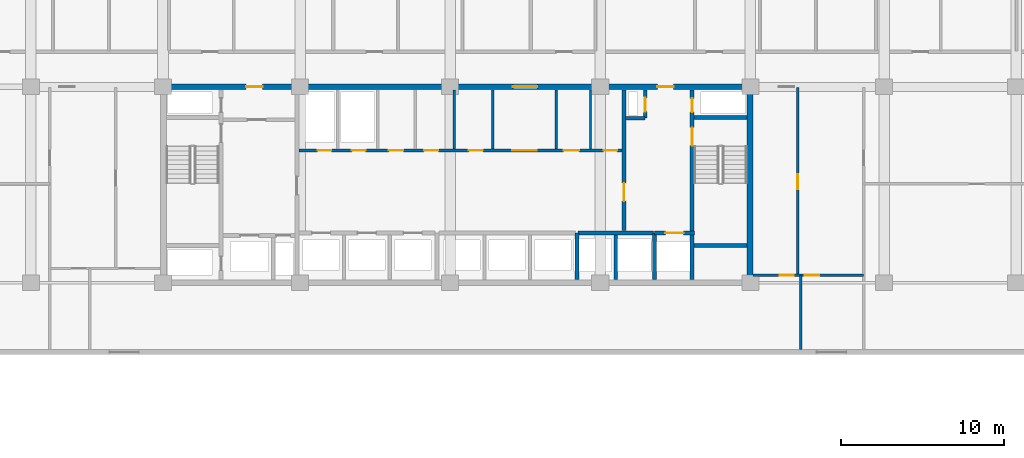
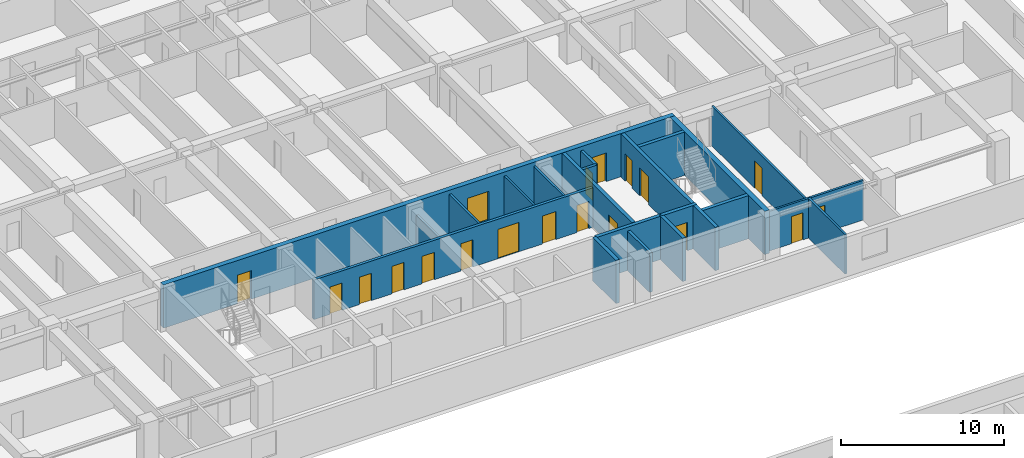
# One storey, part 12 of 23: 21 walls, 19 doors, 19 openings.
"""IFC4 building model written with IfcOpenShell, lengths in metres."""

from ifc_helpers import new_model, si_unit, direction, frame, frame_2d, origin, place, context, subcontext, project, spatial, rectangle, extrude, material, layer, layer_set, type_object, element, fill, save


model = new_model("IFC4")

# Units and contexts
model_context = context("Model", 3, precision=1e-05, world=origin(), true_north=direction((0.0, 1.0)))
body_context = subcontext(model_context, "Body", "Model", "MODEL_VIEW")
ifc_project = project(units=[si_unit("LENGTHUNIT", "METRE"), si_unit("AREAUNIT", "SQUARE_METRE"), si_unit("VOLUMEUNIT", "CUBIC_METRE"), si_unit("PLANEANGLEUNIT", "RADIAN"), si_unit("MASSUNIT", "GRAM", prefix="KILO")], contexts=[model_context])

# Site, building, storey
site_placement = place(None, origin())
site = spatial("IfcSite", under=ifc_project, at=site_placement, CompositionType="ELEMENT")
building_placement = place(site_placement, origin())
building = spatial("IfcBuilding", under=site, at=building_placement, Name="Korimba Cascade Residences", CompositionType="ELEMENT")
storey_placement = place(building_placement, frame((0.0, 0.0, 30.5)))
storey = spatial("IfcBuildingStorey", under=building, at=storey_placement, Name="L07", CompositionType="ELEMENT", Elevation=30.5)

# Wall
ifc_material_1 = material(Name="Concrete C65/80", Category="concrete")
ifc_layer_1 = layer(ifc_material_1, 0.35009765625)
ifc_layer_set_1 = layer_set([ifc_layer_1], Name="Concrete C65/80")
wall_type_1 = type_object("IfcWallType", Name="WAL-CORE-350", PredefinedType="SHEAR", material=ifc_layer_set_1)
wall_1_placement = place(storey_placement, frame((112.074951171875, 55.375, 0.0), z_axis=(0.0, 0.0, 1.0), x_axis=(0.0, 1.0, 0.0)))
element("IfcWall", 1, at=wall_1_placement, inside=storey, type_object=wall_type_1, Name="L07 Core Shear Wall CW-L07-T1-E", PredefinedType="SHEAR", context=body_context, shape_type="SweptSolid", body=[
    extrude(rectangle(XDim=11.64990234375, YDim=0.35009765625, at=frame_2d((5.824951171875, 0.0))), origin(), (0.0, 0.0, 1.0), 3.25),
])

# Wall, openings, doors
wall_2_placement = place(storey_placement, frame((75.949951171875, 67.199951171875, 0.0), z_axis=(0.0, 0.0, 1.0), x_axis=(1.0, 0.0, 0.0)))
wall_2 = element("IfcWall", 2, at=wall_2_placement, inside=storey, type_object=wall_type_1, Name="L07 Core Shear Wall CW-L07-T1-N", PredefinedType="SHEAR", context=body_context, shape_type="SweptSolid", body=[
    extrude(rectangle(XDim=36.300048828125, YDim=0.35009765625, at=frame_2d((18.14990234375, 0.0))), origin(), (0.0, 0.0, 1.0), 3.25),
])
opening_1_placement = place(wall_2_placement, frame((5.25, 0.0, 0.0)))
opening_1 = element("IfcOpeningElement", 3, at=opening_1_placement, cuts=wall_2, Name="Opening D-FD5", PredefinedType="OPENING", context=body_context, shape_type="SweptSolid", body=[
    extrude(rectangle(XDim=1.0, YDim=2.14990234375, at=frame_2d((0.5, 1.074951171875))), frame((0.0, 0.18505859375, 0.0), z_axis=(0.0, -1.0, 0.0), x_axis=(1.0, 0.0, 0.0)), (0.0, 0.0, 1.0), 0.3701171875),
])
opening_2_placement = place(wall_2_placement, frame((21.60009765625, 0.0, 0.0)))
opening_2 = element("IfcOpeningElement", 4, at=opening_2_placement, cuts=wall_2, Name="Opening D-FD8", PredefinedType="OPENING", context=body_context, shape_type="SweptSolid", body=[
    extrude(rectangle(XDim=1.5, YDim=2.199951171875, at=frame_2d((0.75, 1.10009765625))), frame((0.0, 0.18505859375, 0.0), z_axis=(0.0, -1.0, 0.0), x_axis=(1.0, 0.0, 0.0)), (0.0, 0.0, 1.0), 0.3701171875),
])
opening_3_placement = place(wall_2_placement, frame((30.449951171875, 0.0, 0.0)))
opening_3 = element("IfcOpeningElement", 5, at=opening_3_placement, cuts=wall_2, Name="Opening D-FD5", PredefinedType="OPENING", context=body_context, shape_type="SweptSolid", body=[
    extrude(rectangle(XDim=1.0, YDim=2.14990234375, at=frame_2d((0.5, 1.074951171875))), frame((0.0, 0.18505859375, 0.0), z_axis=(0.0, -1.0, 0.0), x_axis=(1.0, 0.0, 0.0)), (0.0, 0.0, 1.0), 0.3701171875),
])
ifc_material_2 = material(Name="Fire-Rated Acoustic Timber Vestibule Door", Category="wood")
door_type_1 = type_object("IfcDoorType", Name="DR-FD90-1000", OperationType="NOTDEFINED", PredefinedType="DOOR", material=ifc_material_2)
door_1_placement = place(opening_1_placement, origin())
door_1 = element("IfcDoor", 6, at=door_1_placement, inside=storey, type_object=door_type_1, Name="L07 T1 West Core Vestibule Fire Door", OperationType="SINGLE_SWING_LEFT", OverallHeight=2.14990234375, OverallWidth=1.0, PredefinedType="DOOR", context=body_context, shape_type="SweptSolid", body=[
    extrude(rectangle(XDim=1.0, YDim=2.14990234375, at=frame_2d((0.5, 1.074951171875))), frame((0.0, 0.02490234375, 0.0), z_axis=(0.0, -1.0, 0.0), x_axis=(1.0, 0.0, 0.0)), (0.0, 0.0, 1.0), 0.050048828125),
])
fill(opening_1, door_1)
door_2_placement = place(opening_3_placement, origin())
door_2 = element("IfcDoor", 7, at=door_2_placement, inside=storey, type_object=door_type_1, Name="L07 T1 East Firefighting Vestibule Fire Door", OperationType="SINGLE_SWING_RIGHT", OverallHeight=2.14990234375, OverallWidth=1.0, PredefinedType="DOOR", context=body_context, shape_type="SweptSolid", body=[
    extrude(rectangle(XDim=1.0, YDim=2.14990234375, at=frame_2d((0.5, 1.074951171875))), frame((0.0, 0.02490234375, 0.0), z_axis=(0.0, -1.0, 0.0), x_axis=(1.0, 0.0, 0.0)), (0.0, 0.0, 1.0), 0.050048828125),
])
fill(opening_3, door_2)
ifc_material_3 = material(Name="Fire-Rated Glazed Lift Lobby Double Door", Category="glass")
door_type_2 = type_object("IfcDoorType", Name="DR-FD90-1500", OperationType="NOTDEFINED", PredefinedType="DOOR", material=ifc_material_3)
door_3_placement = place(opening_2_placement, origin())
door_3 = element("IfcDoor", 8, at=door_3_placement, inside=storey, type_object=door_type_2, Name="L07 T1 Lift Lobby Fire Door", OperationType="DOUBLE_DOOR_SINGLE_SWING", OverallHeight=2.199951171875, OverallWidth=1.5, PredefinedType="DOOR", context=body_context, shape_type="SweptSolid", body=[
    extrude(rectangle(XDim=1.5, YDim=2.199951171875, at=frame_2d((0.75, 1.10009765625))), frame((0.0, 0.02490234375, 0.0), z_axis=(0.0, -1.0, 0.0), x_axis=(1.0, 0.0, 0.0)), (0.0, 0.0, 1.0), 0.050048828125),
])
fill(opening_2, door_3)

# Walls
ifc_material_4 = material(Name="Insulated Acoustic Stud Partition", Category="gypsum")
ifc_layer_2 = layer(ifc_material_4, 0.14990234375)
ifc_layer_set_2 = layer_set([ifc_layer_2], Name="Insulated Acoustic Stud Partition")
wall_type_2 = type_object("IfcWallType", Name="WAL-PART-150", PredefinedType="PARTITIONING", material=ifc_layer_set_2)
wall_3_placement = place(storey_placement, frame((93.949951171875, 63.39990234375, 0.0), z_axis=(0.0, 0.0, 1.0), x_axis=(0.0, 1.0, 0.0)))
element("IfcWall", 9, at=wall_3_placement, inside=storey, type_object=wall_type_2, Name="L07 Partition Wall CW-L07-T1-CA1W2", PredefinedType="PARTITIONING", context=body_context, shape_type="SweptSolid", body=[
    extrude(rectangle(XDim=3.60009765625, YDim=0.14990234375, at=frame_2d((1.800048828125, 0.0))), origin(), (0.0, 0.0, 1.0), 2.219970703125),
])
for number, where, z_axis, x_axis, name in (
    (10, (102.300048828125, 63.39990234375, 0.0), (0.0, 0.0, 1.0), (0.0, 1.0, 0.0), "L07 Partition Wall CW-L07-T1-CA1E1"),
    (11, (96.300048828125, 63.39990234375, 0.0), (0.0, 0.0, 1.0), (0.0, 1.0, 0.0), "L07 Partition Wall CW-L07-T1-THW"),
    (12, (100.199951171875, 63.39990234375, 0.0), (0.0, 0.0, 1.0), (0.0, 1.0, 0.0), "L07 Partition Wall CW-L07-T1-THE"),
):
    element("IfcWall", number, at=place(storey_placement, frame(where, z_axis=z_axis, x_axis=x_axis)), inside=storey, type_object=wall_type_2, Name=name, PredefinedType="PARTITIONING", context=body_context, shape_type="SweptSolid", body=[
        extrude(rectangle(XDim=3.60009765625, YDim=0.14990234375, at=frame_2d((1.800048828125, 0.0))), origin(), (0.0, 0.0, 1.0), 2.969970703125),
    ])

# Wall, opening, door
wall_4_placement = place(storey_placement, frame((115.0, 55.64990234375, 0.0), z_axis=(0.0, 0.0, 1.0), x_axis=(0.0, 1.0, 0.0)))
wall_4 = element("IfcWall", 13, at=wall_4_placement, inside=storey, type_object=wall_type_2, Name="L07 Partition Wall WAL-L07-T1-FE-VN", PredefinedType="PARTITIONING", context=body_context, shape_type="SweptSolid", body=[
    extrude(rectangle(XDim=11.5, YDim=0.14990234375, at=frame_2d((5.75, 0.0))), origin(), (0.0, 0.0, 1.0), 2.969970703125),
])
opening_4_placement = place(wall_4_placement, frame((5.2900390625, 0.0, 0.0)))
opening_4 = element("IfcOpeningElement", 14, at=opening_4_placement, cuts=wall_4, Name="Opening D-IN1", PredefinedType="OPENING", context=body_context, shape_type="SweptSolid", body=[
    extrude(rectangle(XDim=0.919921875, YDim=2.080078125, at=frame_2d((0.4599609375, 1.0400390625))), frame((0.0, 0.0849609375, 0.0), z_axis=(0.0, -1.0, 0.0), x_axis=(1.0, 0.0, 0.0)), (0.0, 0.0, 1.0), 0.169921875),
])
ifc_material_5 = material(Name="Acoustic Timber Living Door", Category="wood")
door_type_3 = type_object("IfcDoorType", Name="DR-INT-920", OperationType="NOTDEFINED", PredefinedType="DOOR", material=ifc_material_5)
door_4_placement = place(opening_4_placement, origin())
door_4 = element("IfcDoor", 15, at=door_4_placement, inside=storey, type_object=door_type_3, Name="L07-T1-FE Living Door", OperationType="SINGLE_SWING_RIGHT", OverallHeight=2.080078125, OverallWidth=0.919921875, PredefinedType="DOOR", context=body_context, shape_type="SweptSolid", body=[
    extrude(rectangle(XDim=0.919921875, YDim=2.080078125, at=frame_2d((0.4599609375, 1.0400390625))), frame((0.0, 0.02490234375, 0.0), z_axis=(0.0, -1.0, 0.0), x_axis=(1.0, 0.0, 0.0)), (0.0, 0.0, 1.0), 0.050048828125),
])
fill(opening_4, door_4)

# Wall
wall_5_placement = place(storey_placement, frame((115.199951171875, 51.10009765625, 0.0), z_axis=(0.0, 0.0, 1.0), x_axis=(0.0, 1.0, 0.0)))
element("IfcWall", 16, at=wall_5_placement, inside=storey, type_object=wall_type_2, Name="L07 Partition Wall WAL-L07-T1-FE-VS", PredefinedType="PARTITIONING", context=body_context, shape_type="SweptSolid", body=[
    extrude(rectangle(XDim=4.5498046875, YDim=0.14990234375, at=frame_2d((2.27490234375, 0.0))), origin(), (0.0, 0.0, 1.0), 2.969970703125),
])

# Wall, openings, doors
wall_6_placement = place(storey_placement, frame((112.27001953125, 55.64990234375, 0.0), z_axis=(0.0, 0.0, 1.0), x_axis=(1.0, 0.0, 0.0)))
wall_6 = element("IfcWall", 17, at=wall_6_placement, inside=storey, type_object=wall_type_2, Name="L07 Partition Wall WAL-L07-T1-FE-H", PredefinedType="PARTITIONING", context=body_context, shape_type="SweptSolid", body=[
    extrude(rectangle(XDim=6.760009765625, YDim=0.14990234375, at=frame_2d((3.3798828125, 0.0))), origin(), (0.0, 0.0, 1.0), 2.969970703125),
])
opening_5_placement = place(wall_6_placement, frame((1.6396484375, 0.0, 0.0)))
opening_5 = element("IfcOpeningElement", 18, at=opening_5_placement, cuts=wall_6, Name="Opening D-BT1", PredefinedType="OPENING", context=body_context, shape_type="SweptSolid", body=[
    extrude(rectangle(XDim=0.840087890625, YDim=2.0400390625, at=frame_2d((0.419921875, 1.02001953125))), frame((0.0, 0.0849609375, 0.0), z_axis=(0.0, -1.0, 0.0), x_axis=(1.0, 0.0, 0.0)), (0.0, 0.0, 1.0), 0.169921875),
])
opening_6_placement = place(wall_6_placement, frame((3.160400390625, 0.0, 0.0)))
opening_6 = element("IfcOpeningElement", 19, at=opening_6_placement, cuts=wall_6, Name="Opening D-IN2", PredefinedType="OPENING", context=body_context, shape_type="SweptSolid", body=[
    extrude(rectangle(XDim=0.8798828125, YDim=2.06005859375, at=frame_2d((0.43994140625, 1.030029296875))), frame((0.0, 0.0849609375, 0.0), z_axis=(0.0, -1.0, 0.0), x_axis=(1.0, 0.0, 0.0)), (0.0, 0.0, 1.0), 0.169921875),
])
ifc_material_6 = material(Name="Moisture-Resistant Bathroom Timber Door", Category="wood")
door_type_4 = type_object("IfcDoorType", Name="DR-INT-850", OperationType="NOTDEFINED", PredefinedType="DOOR", material=ifc_material_6)
door_5_placement = place(opening_5_placement, origin())
door_5 = element("IfcDoor", 20, at=door_5_placement, inside=storey, type_object=door_type_4, Name="L07-T1-FE Bathroom Door", OperationType="SINGLE_SWING_LEFT", OverallHeight=2.0400390625, OverallWidth=0.840087890625, PredefinedType="DOOR", context=body_context, shape_type="SweptSolid", body=[
    extrude(rectangle(XDim=0.840087890625, YDim=2.0400390625, at=frame_2d((0.419921875, 1.02001953125))), frame((0.0, 0.02490234375, 0.0), z_axis=(0.0, -1.0, 0.0), x_axis=(1.0, 0.0, 0.0)), (0.0, 0.0, 1.0), 0.050048828125),
])
fill(opening_5, door_5)
ifc_material_7 = material(Name="Acoustic Timber Bedroom Door", Category="wood")
door_type_5 = type_object("IfcDoorType", Name="DR-INT-880", OperationType="NOTDEFINED", PredefinedType="DOOR", material=ifc_material_7)
door_6_placement = place(opening_6_placement, origin())
door_6 = element("IfcDoor", 21, at=door_6_placement, inside=storey, type_object=door_type_5, Name="L07-T1-FE Bedroom Door", OperationType="SINGLE_SWING_RIGHT", OverallHeight=2.06005859375, OverallWidth=0.8798828125, PredefinedType="DOOR", context=body_context, shape_type="SweptSolid", body=[
    extrude(rectangle(XDim=0.8798828125, YDim=2.06005859375, at=frame_2d((0.43994140625, 1.030029296875))), frame((0.0, 0.02490234375, 0.0), z_axis=(0.0, -1.0, 0.0), x_axis=(1.0, 0.0, 0.0)), (0.0, 0.0, 1.0), 0.050048828125),
])
fill(opening_6, door_6)

# Wall
ifc_material_8 = material(Name="Concrete C40/50", Category="concrete")
ifc_layer_3 = layer(ifc_material_8, 0.199951171875)
ifc_layer_set_3 = layer_set([ifc_layer_3], Name="Concrete C40/50")
wall_type_3 = type_object("IfcWallType", Name="WAL-PART-200", PredefinedType="PARTITIONING", material=ifc_layer_set_3)
wall_7_placement = place(storey_placement, frame((103.85009765625, 55.39990234375, 0.0), z_axis=(0.0, 0.0, 1.0), x_axis=(0.0, 1.0, 0.0)))
element("IfcWall", 22, at=wall_7_placement, inside=storey, type_object=wall_type_3, Name="L07 Partition Wall CW-L07-T1-B3D1", PredefinedType="PARTITIONING", context=body_context, shape_type="SweptSolid", body=[
    extrude(rectangle(XDim=2.72021484375, YDim=0.199951171875, at=frame_2d((1.360107421875, 0.0))), origin(), (0.0, 0.0, 1.0), 2.969970703125),
])

# Wall, openings, doors
wall_8_placement = place(storey_placement, frame((84.419921875, 63.300048828125, 0.0), z_axis=(0.0, 0.0, 1.0), x_axis=(1.0, 0.0, 0.0)))
wall_8 = element("IfcWall", 23, at=wall_8_placement, inside=storey, type_object=wall_type_3, Name="L07 Partition Wall CW-L07-T1-SRVROW", PredefinedType="PARTITIONING", context=body_context, shape_type="SweptSolid", body=[
    extrude(rectangle(XDim=19.830078125, YDim=0.199951171875, at=frame_2d((9.9150390625, 0.0))), origin(), (0.0, 0.0, 1.0), 2.969970703125),
])
opening_7_placement = place(wall_8_placement, frame((1.14990234375, 0.0, 0.0)))
opening_7 = element("IfcOpeningElement", 24, at=opening_7_placement, cuts=wall_8, Name="Opening D-RS1", PredefinedType="OPENING", context=body_context, shape_type="SweptSolid", body=[
    extrude(rectangle(XDim=0.85009765625, YDim=2.050048828125, at=frame_2d((0.425048828125, 1.02490234375))), frame((0.0, 0.10986328125, 0.0), z_axis=(0.0, -1.0, 0.0), x_axis=(1.0, 0.0, 0.0)), (0.0, 0.0, 1.0), 0.219970703125),
])
opening_8_placement = place(wall_8_placement, frame((3.25, 0.0, 0.0)))
opening_8 = element("IfcOpeningElement", 25, at=opening_8_placement, cuts=wall_8, Name="Opening D-RS1", PredefinedType="OPENING", context=body_context, shape_type="SweptSolid", body=[
    extrude(rectangle(XDim=0.85009765625, YDim=2.050048828125, at=frame_2d((0.425048828125, 1.02490234375))), frame((0.0, 0.10986328125, 0.0), z_axis=(0.0, -1.0, 0.0), x_axis=(1.0, 0.0, 0.0)), (0.0, 0.0, 1.0), 0.219970703125),
])
opening_9_placement = place(wall_8_placement, frame((13.080078125, 0.0, 0.0)))
opening_9 = element("IfcOpeningElement", 26, at=opening_9_placement, cuts=wall_8, Name="Opening D-FD8", PredefinedType="OPENING", context=body_context, shape_type="SweptSolid", body=[
    extrude(rectangle(XDim=1.5, YDim=2.199951171875, at=frame_2d((0.75, 1.10009765625))), frame((0.0, 0.10986328125, 0.0), z_axis=(0.0, -1.0, 0.0), x_axis=(1.0, 0.0, 0.0)), (0.0, 0.0, 1.0), 0.219970703125),
])
opening_10_placement = place(wall_8_placement, frame((5.530029296875, 0.0, 0.0)))
opening_10 = element("IfcOpeningElement", 27, at=opening_10_placement, cuts=wall_8, Name="Opening D-IN2", PredefinedType="OPENING", context=body_context, shape_type="SweptSolid", body=[
    extrude(rectangle(XDim=0.8798828125, YDim=2.06005859375, at=frame_2d((0.43994140625, 1.030029296875))), frame((0.0, 0.10986328125, 0.0), z_axis=(0.0, -1.0, 0.0), x_axis=(1.0, 0.0, 0.0)), (0.0, 0.0, 1.0), 0.219970703125),
])
opening_11_placement = place(wall_8_placement, frame((7.679931640625, 0.0, 0.0)))
opening_11 = element("IfcOpeningElement", 28, at=opening_11_placement, cuts=wall_8, Name="Opening D-IN2", PredefinedType="OPENING", context=body_context, shape_type="SweptSolid", body=[
    extrude(rectangle(XDim=0.8798828125, YDim=2.06005859375, at=frame_2d((0.43994140625, 1.030029296875))), frame((0.0, 0.10986328125, 0.0), z_axis=(0.0, -1.0, 0.0), x_axis=(1.0, 0.0, 0.0)), (0.0, 0.0, 1.0), 0.219970703125),
])
opening_12_placement = place(wall_8_placement, frame((10.429931640625, 0.0, 0.0)))
opening_12 = element("IfcOpeningElement", 29, at=opening_12_placement, cuts=wall_8, Name="Opening D-RS1", PredefinedType="OPENING", context=body_context, shape_type="SweptSolid", body=[
    extrude(rectangle(XDim=0.85009765625, YDim=2.050048828125, at=frame_2d((0.425048828125, 1.02490234375))), frame((0.0, 0.10986328125, 0.0), z_axis=(0.0, -1.0, 0.0), x_axis=(1.0, 0.0, 0.0)), (0.0, 0.0, 1.0), 0.219970703125),
])
opening_13_placement = place(wall_8_placement, frame((16.22998046875, 0.0, 0.0)))
opening_13 = element("IfcOpeningElement", 30, at=opening_13_placement, cuts=wall_8, Name="Opening D-AC1", PredefinedType="OPENING", context=body_context, shape_type="SweptSolid", body=[
    extrude(rectangle(XDim=0.9599609375, YDim=2.10009765625, at=frame_2d((0.47998046875, 1.050048828125))), frame((0.0, 0.10986328125, 0.0), z_axis=(0.0, -1.0, 0.0), x_axis=(1.0, 0.0, 0.0)), (0.0, 0.0, 1.0), 0.219970703125),
])
opening_14_placement = place(wall_8_placement, frame((18.679931640625, 0.0, 0.0)))
opening_14 = element("IfcOpeningElement", 31, at=opening_14_placement, cuts=wall_8, Name="Opening D-BT1", PredefinedType="OPENING", context=body_context, shape_type="SweptSolid", body=[
    extrude(rectangle(XDim=0.840087890625, YDim=2.0400390625, at=frame_2d((0.419921875, 1.02001953125))), frame((0.0, 0.10986328125, 0.0), z_axis=(0.0, -1.0, 0.0), x_axis=(1.0, 0.0, 0.0)), (0.0, 0.0, 1.0), 0.219970703125),
])
ifc_material_9 = material(Name="Accessible Acoustic Timber WC Door", Category="wood")
door_type_6 = type_object("IfcDoorType", Name="DR-ACC-950", OperationType="NOTDEFINED", PredefinedType="DOOR", material=ifc_material_9)
door_7_placement = place(opening_13_placement, origin())
door_7 = element("IfcDoor", 32, at=door_7_placement, inside=storey, type_object=door_type_6, Name="L07 Accessible Staff WC Door", OperationType="SINGLE_SWING_RIGHT", OverallHeight=2.10009765625, OverallWidth=0.9599609375, PredefinedType="DOOR", context=body_context, shape_type="SweptSolid", body=[
    extrude(rectangle(XDim=0.9599609375, YDim=2.10009765625, at=frame_2d((0.47998046875, 1.050048828125))), frame((0.0, 0.02490234375, 0.0), z_axis=(0.0, -1.0, 0.0), x_axis=(1.0, 0.0, 0.0)), (0.0, 0.0, 1.0), 0.050048828125),
])
fill(opening_13, door_7)
ifc_material_10 = material(Name="Fire-Rated Steel Riser Access Door", Category="steel")
door_type_7 = type_object("IfcDoorType", Name="DR-FD60-850", OperationType="NOTDEFINED", PredefinedType="DOOR", material=ifc_material_10)
door_8_placement = place(opening_7_placement, origin())
door_8 = element("IfcDoor", 33, at=door_8_placement, inside=storey, type_object=door_type_7, Name="L07 Electrical Riser Door", OperationType="SINGLE_SWING_LEFT", OverallHeight=2.050048828125, OverallWidth=0.85009765625, PredefinedType="DOOR", context=body_context, shape_type="SweptSolid", body=[
    extrude(rectangle(XDim=0.85009765625, YDim=2.050048828125, at=frame_2d((0.425048828125, 1.02490234375))), frame((0.0, 0.02490234375, 0.0), z_axis=(0.0, -1.0, 0.0), x_axis=(1.0, 0.0, 0.0)), (0.0, 0.0, 1.0), 0.050048828125),
])
fill(opening_7, door_8)
door_9_placement = place(opening_8_placement, origin())
door_9 = element("IfcDoor", 34, at=door_9_placement, inside=storey, type_object=door_type_7, Name="L07 Plumbing Riser Door", OperationType="SINGLE_SWING_RIGHT", OverallHeight=2.050048828125, OverallWidth=0.85009765625, PredefinedType="DOOR", context=body_context, shape_type="SweptSolid", body=[
    extrude(rectangle(XDim=0.85009765625, YDim=2.050048828125, at=frame_2d((0.425048828125, 1.02490234375))), frame((0.0, 0.02490234375, 0.0), z_axis=(0.0, -1.0, 0.0), x_axis=(1.0, 0.0, 0.0)), (0.0, 0.0, 1.0), 0.050048828125),
])
fill(opening_8, door_9)
door_10_placement = place(opening_12_placement, origin())
door_10 = element("IfcDoor", 35, at=door_10_placement, inside=storey, type_object=door_type_7, Name="L07 IT Room Door", OperationType="SINGLE_SWING_LEFT", OverallHeight=2.050048828125, OverallWidth=0.85009765625, PredefinedType="DOOR", context=body_context, shape_type="SweptSolid", body=[
    extrude(rectangle(XDim=0.85009765625, YDim=2.050048828125, at=frame_2d((0.425048828125, 1.02490234375))), frame((0.0, 0.02490234375, 0.0), z_axis=(0.0, -1.0, 0.0), x_axis=(1.0, 0.0, 0.0)), (0.0, 0.0, 1.0), 0.050048828125),
])
fill(opening_12, door_10)
door_11_placement = place(opening_9_placement, origin())
door_11 = element("IfcDoor", 36, at=door_11_placement, inside=storey, type_object=door_type_2, Name="L07 Lift Lobby Foyer Archway Door", OperationType="DOUBLE_DOOR_SINGLE_SWING", OverallHeight=2.199951171875, OverallWidth=1.5, PredefinedType="DOOR", context=body_context, shape_type="SweptSolid", body=[
    extrude(rectangle(XDim=1.5, YDim=2.199951171875, at=frame_2d((0.75, 1.10009765625))), frame((0.0, 0.02490234375, 0.0), z_axis=(0.0, -1.0, 0.0), x_axis=(1.0, 0.0, 0.0)), (0.0, 0.0, 1.0), 0.050048828125),
])
fill(opening_9, door_11)
door_12_placement = place(opening_14_placement, origin())
door_12 = element("IfcDoor", 37, at=door_12_placement, inside=storey, type_object=door_type_4, Name="L07 Vending Room Door", OperationType="SINGLE_SWING_LEFT", OverallHeight=2.0400390625, OverallWidth=0.840087890625, PredefinedType="DOOR", context=body_context, shape_type="SweptSolid", body=[
    extrude(rectangle(XDim=0.840087890625, YDim=2.0400390625, at=frame_2d((0.419921875, 1.02001953125))), frame((0.0, 0.02490234375, 0.0), z_axis=(0.0, -1.0, 0.0), x_axis=(1.0, 0.0, 0.0)), (0.0, 0.0, 1.0), 0.050048828125),
])
fill(opening_14, door_12)
door_13_placement = place(opening_10_placement, origin())
door_13 = element("IfcDoor", 38, at=door_13_placement, inside=storey, type_object=door_type_5, Name="L07 Cleaners Door", OperationType="SINGLE_SWING_LEFT", OverallHeight=2.06005859375, OverallWidth=0.8798828125, PredefinedType="DOOR", context=body_context, shape_type="SweptSolid", body=[
    extrude(rectangle(XDim=0.8798828125, YDim=2.06005859375, at=frame_2d((0.43994140625, 1.030029296875))), frame((0.0, 0.02490234375, 0.0), z_axis=(0.0, -1.0, 0.0), x_axis=(1.0, 0.0, 0.0)), (0.0, 0.0, 1.0), 0.050048828125),
])
fill(opening_10, door_13)
door_14_placement = place(opening_11_placement, origin())
door_14 = element("IfcDoor", 39, at=door_14_placement, inside=storey, type_object=door_type_5, Name="L07 Pantry Door", OperationType="SINGLE_SWING_RIGHT", OverallHeight=2.06005859375, OverallWidth=0.8798828125, PredefinedType="DOOR", context=body_context, shape_type="SweptSolid", body=[
    extrude(rectangle(XDim=0.8798828125, YDim=2.06005859375, at=frame_2d((0.43994140625, 1.030029296875))), frame((0.0, 0.02490234375, 0.0), z_axis=(0.0, -1.0, 0.0), x_axis=(1.0, 0.0, 0.0)), (0.0, 0.0, 1.0), 0.050048828125),
])
fill(opening_11, door_14)

# Wall
wall_9_placement = place(storey_placement, frame((104.449951171875, 65.280029296875, 0.0), z_axis=(0.0, 0.0, 1.0), x_axis=(1.0, 0.0, 0.0)))
element("IfcWall", 40, at=wall_9_placement, inside=storey, type_object=wall_type_3, Name="L07 Partition Wall CW-L07-T1-HYDW2S", PredefinedType="PARTITIONING", context=body_context, shape_type="SweptSolid", body=[
    extrude(rectangle(XDim=1.199951171875, YDim=0.199951171875, at=frame_2d((0.60009765625, 0.0))), origin(), (0.0, 0.0, 1.0), 2.969970703125),
])

# Wall, opening, door
wall_10_placement = place(storey_placement, frame((105.64990234375, 65.280029296875, 0.0), z_axis=(0.0, 0.0, 1.0), x_axis=(0.0, 1.0, 0.0)))
wall_10 = element("IfcWall", 41, at=wall_10_placement, inside=storey, type_object=wall_type_3, Name="L07 Partition Wall CW-L07-T1-HYDW2E", PredefinedType="PARTITIONING", context=body_context, shape_type="SweptSolid", body=[
    extrude(rectangle(XDim=1.719970703125, YDim=0.199951171875, at=frame_2d((0.85986328125, 0.0))), origin(), (0.0, 0.0, 1.0), 2.969970703125),
])
opening_15_placement = place(wall_10_placement, frame((0.39990234375, 0.0, 0.0)))
opening_15 = element("IfcOpeningElement", 42, at=opening_15_placement, cuts=wall_10, Name="Opening D-RS1", PredefinedType="OPENING", context=body_context, shape_type="SweptSolid", body=[
    extrude(rectangle(XDim=0.85009765625, YDim=2.050048828125, at=frame_2d((0.425048828125, 1.02490234375))), frame((0.0, 0.10986328125, 0.0), z_axis=(0.0, -1.0, 0.0), x_axis=(1.0, 0.0, 0.0)), (0.0, 0.0, 1.0), 0.219970703125),
])
door_15_placement = place(opening_15_placement, origin())
door_15 = element("IfcDoor", 43, at=door_15_placement, inside=storey, type_object=door_type_7, Name="L07 East Hydrant Door", OperationType="SINGLE_SWING_RIGHT", OverallHeight=2.050048828125, OverallWidth=0.85009765625, PredefinedType="DOOR", context=body_context, shape_type="SweptSolid", body=[
    extrude(rectangle(XDim=0.85009765625, YDim=2.050048828125, at=frame_2d((0.425048828125, 1.02490234375))), frame((0.0, 0.02490234375, 0.0), z_axis=(0.0, -1.0, 0.0), x_axis=(1.0, 0.0, 0.0)), (0.0, 0.0, 1.0), 0.050048828125),
])
fill(opening_15, door_15)

# Walls
ifc_material_11 = material(Name="Concrete C50/60", Category="concrete")
ifc_layer_4 = layer(ifc_material_11, 0.25)
ifc_layer_set_4 = layer_set([ifc_layer_4], Name="Concrete C50/60")
wall_type_4 = type_object("IfcWallType", Name="WAL-SHAFT-250", PredefinedType="SHEAR", material=ifc_layer_set_4)
wall_11_placement = place(storey_placement, frame((101.47998046875, 55.39990234375, 0.0), z_axis=(0.0, 0.0, 1.0), x_axis=(0.0, 1.0, 0.0)))
element("IfcWall", 44, at=wall_11_placement, inside=storey, type_object=wall_type_4, Name="L07 Core Shear Wall CW-L07-T1-B23DIV", PredefinedType="SHEAR", context=body_context, shape_type="SweptSolid", body=[
    extrude(rectangle(XDim=2.85009765625, YDim=0.25, at=frame_2d((1.425048828125, 0.0))), origin(), (0.0, 0.0, 1.0), 3.25),
])
wall_12_placement = place(storey_placement, frame((101.550048828125, 58.25, 0.0), z_axis=(0.0, 0.0, 1.0), x_axis=(1.0, 0.0, 0.0)))
element("IfcWall", 45, at=wall_12_placement, inside=storey, type_object=wall_type_4, Name="L07 Core Shear Wall CW-L07-T1-B3N", PredefinedType="SHEAR", context=body_context, shape_type="SweptSolid", body=[
    extrude(rectangle(XDim=4.599853515625, YDim=0.25, at=frame_2d((2.2998046875, 0.0))), origin(), (0.0, 0.0, 1.0), 3.25),
])
wall_13_placement = place(storey_placement, frame((106.219970703125, 55.39990234375, 0.0), z_axis=(0.0, 0.0, 1.0), x_axis=(0.0, 1.0, 0.0)))
element("IfcWall", 46, at=wall_13_placement, inside=storey, type_object=wall_type_4, Name="L07 Core Shear Wall CW-L07-T1-FF2W", PredefinedType="SHEAR", context=body_context, shape_type="SweptSolid", body=[
    extrude(rectangle(XDim=2.85009765625, YDim=0.25, at=frame_2d((1.425048828125, 0.0))), origin(), (0.0, 0.0, 1.0), 3.25),
])

# Wall, opening, door
wall_14_placement = place(storey_placement, frame((106.219970703125, 58.25, 0.0), z_axis=(0.0, 0.0, 1.0), x_axis=(1.0, 0.0, 0.0)))
wall_14 = element("IfcWall", 47, at=wall_14_placement, inside=storey, type_object=wall_type_4, Name="L07 Core Shear Wall CW-L07-T1-FF2N", PredefinedType="SHEAR", context=body_context, shape_type="SweptSolid", body=[
    extrude(rectangle(XDim=2.4599609375, YDim=0.25, at=frame_2d((1.22998046875, 0.0))), origin(), (0.0, 0.0, 1.0), 3.25),
])
opening_16_placement = place(wall_14_placement, frame((0.669921875, 0.0, 0.0)))
opening_16 = element("IfcOpeningElement", 48, at=opening_16_placement, cuts=wall_14, Name="Opening LD-01", PredefinedType="OPENING", context=body_context, shape_type="SweptSolid", body=[
    extrude(rectangle(XDim=1.1201171875, YDim=2.1201171875, at=frame_2d((0.56005859375, 1.06005859375))), frame((0.0, 0.135009765625, 0.0), z_axis=(0.0, -1.0, 0.0), x_axis=(1.0, 0.0, 0.0)), (0.0, 0.0, 1.0), 0.27001953125),
])
ifc_material_12 = material(Name="Stainless Steel Lift Landing Sliding Door", Category="steel")
door_type_8 = type_object("IfcDoorType", Name="DR-LIFT-1100", OperationType="NOTDEFINED", PredefinedType="DOOR", material=ifc_material_12)
door_16_placement = place(opening_16_placement, origin())
door_16 = element("IfcDoor", 49, at=door_16_placement, inside=storey, type_object=door_type_8, Name="L07 Firefighting Lift Landing Door FFL-W2", OperationType="SLIDING_TO_RIGHT", OverallHeight=2.1201171875, OverallWidth=1.1201171875, PredefinedType="DOOR", context=body_context, shape_type="SweptSolid", body=[
    extrude(rectangle(XDim=1.1201171875, YDim=2.1201171875, at=frame_2d((0.56005859375, 1.06005859375))), frame((0.0, 0.02490234375, 0.0), z_axis=(0.0, -1.0, 0.0), x_axis=(1.0, 0.0, 0.0)), (0.0, 0.0, 1.0), 0.050048828125),
])
fill(opening_16, door_16)

wall_15_placement = place(storey_placement, frame((104.35009765625, 58.39990234375, 0.0), z_axis=(0.0, 0.0, 1.0), x_axis=(0.0, 1.0, 0.0)))
wall_15 = element("IfcWall", 50, at=wall_15_placement, inside=storey, type_object=wall_type_4, Name="L07 Core Shear Wall CW-L07-T1-LLEV", PredefinedType="SHEAR", context=body_context, shape_type="SweptSolid", body=[
    extrude(rectangle(XDim=8.60009765625, YDim=0.25, at=frame_2d((4.300048828125, 0.0))), origin(), (0.0, 0.0, 1.0), 3.25),
])
opening_17_placement = place(wall_15_placement, frame((1.800048828125, 0.0, 0.0)))
opening_17 = element("IfcOpeningElement", 51, at=opening_17_placement, cuts=wall_15, Name="Opening D-FD1", PredefinedType="OPENING", context=body_context, shape_type="SweptSolid", body=[
    extrude(rectangle(XDim=1.10009765625, YDim=2.10009765625, at=frame_2d((0.550048828125, 1.050048828125))), frame((0.0, 0.135009765625, 0.0), z_axis=(0.0, -1.0, 0.0), x_axis=(1.0, 0.0, 0.0)), (0.0, 0.0, 1.0), 0.27001953125),
])
ifc_material_13 = material(Name="Fire-Rated Steel Core Door", Category="steel")
door_type_9 = type_object("IfcDoorType", Name="DR-FD120-1100", OperationType="NOTDEFINED", PredefinedType="DOOR", material=ifc_material_13)
door_17_placement = place(opening_17_placement, origin())
door_17 = element("IfcDoor", 52, at=door_17_placement, inside=storey, type_object=door_type_9, Name="L07 Lift Lobby to East Firefighting Lobby Door", OperationType="SINGLE_SWING_LEFT", OverallHeight=2.10009765625, OverallWidth=1.10009765625, PredefinedType="DOOR", context=body_context, shape_type="SweptSolid", body=[
    extrude(rectangle(XDim=1.10009765625, YDim=2.10009765625, at=frame_2d((0.550048828125, 1.050048828125))), frame((0.0, 0.02490234375, 0.0), z_axis=(0.0, -1.0, 0.0), x_axis=(1.0, 0.0, 0.0)), (0.0, 0.0, 1.0), 0.050048828125),
])
fill(opening_17, door_17)

# Wall, openings, doors
wall_16_placement = place(storey_placement, frame((108.534912109375, 55.39990234375, 0.0), z_axis=(0.0, 0.0, 1.0), x_axis=(0.0, 1.0, 0.0)))
wall_16 = element("IfcWall", 53, at=wall_16_placement, inside=storey, type_object=wall_type_4, Name="L07 Core Shear Wall CW-L07-T1-STW2W", PredefinedType="SHEAR", context=body_context, shape_type="SweptSolid", body=[
    extrude(rectangle(XDim=11.60009765625, YDim=0.25, at=frame_2d((5.800048828125, 0.0))), origin(), (0.0, 0.0, 1.0), 3.25),
])
opening_18_placement = place(wall_16_placement, frame((8.199951171875, 0.0, 0.0)))
opening_18 = element("IfcOpeningElement", 54, at=opening_18_placement, cuts=wall_16, Name="Opening D-FD1", PredefinedType="OPENING", context=body_context, shape_type="SweptSolid", body=[
    extrude(rectangle(XDim=1.10009765625, YDim=2.10009765625, at=frame_2d((0.550048828125, 1.050048828125))), frame((0.0, 0.135009765625, 0.0), z_axis=(0.0, -1.0, 0.0), x_axis=(1.0, 0.0, 0.0)), (0.0, 0.0, 1.0), 0.27001953125),
])
opening_19_placement = place(wall_16_placement, frame((10.25, 0.0, 0.0)))
opening_19 = element("IfcOpeningElement", 55, at=opening_19_placement, cuts=wall_16, Name="Opening D-RS1", PredefinedType="OPENING", context=body_context, shape_type="SweptSolid", body=[
    extrude(rectangle(XDim=0.85009765625, YDim=2.050048828125, at=frame_2d((0.425048828125, 1.02490234375))), frame((0.0, 0.135009765625, 0.0), z_axis=(0.0, -1.0, 0.0), x_axis=(1.0, 0.0, 0.0)), (0.0, 0.0, 1.0), 0.27001953125),
])
door_18_placement = place(opening_18_placement, origin())
door_18 = element("IfcDoor", 56, at=door_18_placement, inside=storey, type_object=door_type_9, Name="L07 Fire Stair ST-W2 Door", OperationType="SINGLE_SWING_RIGHT", OverallHeight=2.10009765625, OverallWidth=1.10009765625, PredefinedType="DOOR", context=body_context, shape_type="SweptSolid", body=[
    extrude(rectangle(XDim=1.10009765625, YDim=2.10009765625, at=frame_2d((0.550048828125, 1.050048828125))), frame((0.0, 0.02490234375, 0.0), z_axis=(0.0, -1.0, 0.0), x_axis=(1.0, 0.0, 0.0)), (0.0, 0.0, 1.0), 0.050048828125),
])
fill(opening_18, door_18)
door_19_placement = place(opening_19_placement, origin())
door_19 = element("IfcDoor", 57, at=door_19_placement, inside=storey, type_object=door_type_7, Name="L07 East Riser Door", OperationType="SINGLE_SWING_LEFT", OverallHeight=2.050048828125, OverallWidth=0.85009765625, PredefinedType="DOOR", context=body_context, shape_type="SweptSolid", body=[
    extrude(rectangle(XDim=0.85009765625, YDim=2.050048828125, at=frame_2d((0.425048828125, 1.02490234375))), frame((0.0, 0.02490234375, 0.0), z_axis=(0.0, -1.0, 0.0), x_axis=(1.0, 0.0, 0.0)), (0.0, 0.0, 1.0), 0.050048828125),
])
fill(opening_19, door_19)

# Walls
for number, where, z_axis, x_axis, name in (
    (58, (108.659912109375, 57.47509765625, 0.0), (0.0, 0.0, 1.0), (1.0, 0.0, 0.0), "L07 Core Shear Wall CW-L07-T1-STW2S"),
    (59, (108.659912109375, 65.324951171875, 0.0), (0.0, 0.0, 1.0), (1.0, 0.0, 0.0), "L07 Core Shear Wall CW-L07-T1-STW2N"),
):
    element("IfcWall", number, at=place(storey_placement, frame(where, z_axis=z_axis, x_axis=x_axis)), inside=storey, type_object=wall_type_4, Name=name, PredefinedType="SHEAR", context=body_context, shape_type="SweptSolid", body=[
        extrude(rectangle(XDim=3.239990234375, YDim=0.25, at=frame_2d((1.6201171875, 0.0))), origin(), (0.0, 0.0, 1.0), 3.25),
    ])

save(model, "model.ifc")
